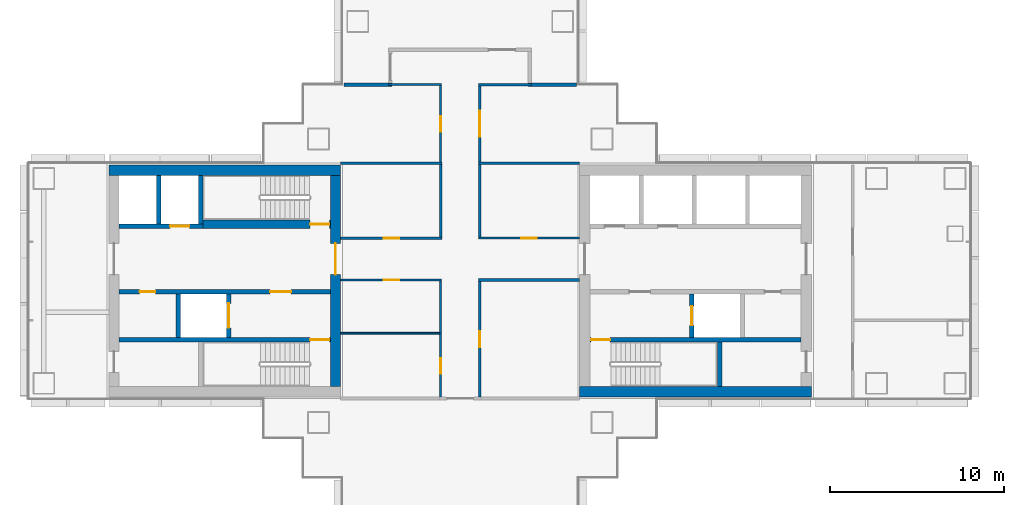
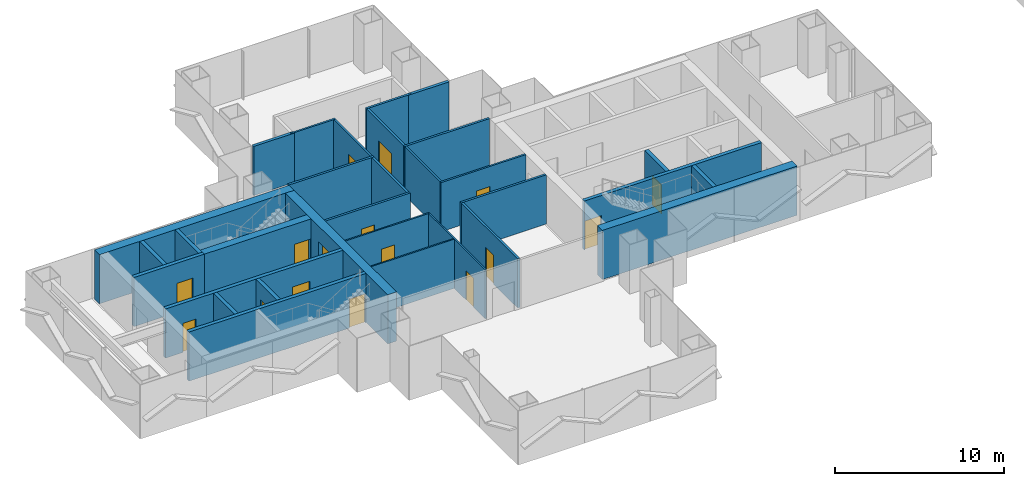
# One storey, part 11 of 19: 31 walls, 16 doors, 16 openings.
"""IFC4 building model written with IfcOpenShell, lengths in metres."""

import ifcopenshell
import ifcopenshell.guid

model = None  # the IFC model being written
_history = None  # IfcOwnerHistory: only IFC2X3 demands one
_inside = {}  # id of a spatial element -> (the spatial element, [elements in it])
_under = {}  # id of a project, library or spatial element -> (it, [spatial elements below it])
_declared = {}  # id of a project -> (the project, [libraries it declares])
_typed = {}  # id of a type object -> (the type object, [elements of that type])
_made_of = {}  # id of a material, layer set ... -> (it, [elements and type objects made of it])


def new_model(schema):
    """Start an empty IFC model of exactly this schema.

    Asked for "IFC4X3", IfcOpenShell would pick the latest addendum, in which some entities
    have other attributes; the version numbers below select the first issue.
    IFC2X3 requires an IfcOwnerHistory on every rooted entity: one is made here for all.
    """
    global model, _history
    if schema == "IFC4X3":
        model = ifcopenshell.file(schema_version=(4, 3, 0, 0))
    else:
        model = ifcopenshell.file(schema=schema)
    _inside.clear()
    _under.clear()
    _declared.clear()
    _typed.clear()
    _made_of.clear()
    _history = None
    if model.schema == "IFC2X3":
        org = make("IfcOrganization", Name="unknown")
        user = make(
            "IfcPersonAndOrganization",
            ThePerson=make("IfcPerson", FamilyName="unknown"),
            TheOrganization=org,
        )
        app = make(
            "IfcApplication",
            ApplicationDeveloper=org,
            Version="unknown",
            ApplicationFullName="unknown",
            ApplicationIdentifier="unknown",
        )
        _history = make(
            "IfcOwnerHistory",
            OwningUser=user,
            OwningApplication=app,
            ChangeAction="ADDED",
            CreationDate=0,
        )
    return model


def make(cls, **values):
    """One entity of the class cls with the attributes given. An attribute that is None is left unset."""
    return model.create_entity(
        cls, **{name: value for name, value in values.items() if value is not None}
    )


def rooted(cls, **values):
    """An entity with a GlobalId (a new one), such as an element, a storey or a relation."""
    return make(cls, GlobalId=ifcopenshell.guid.new(), OwnerHistory=_history, **values)


def si_unit(unit_type, name, prefix=None):
    """IfcSIUnit, for example si_unit("LENGTHUNIT", "METRE", prefix="MILLI")."""
    return make("IfcSIUnit", UnitType=unit_type, Prefix=prefix, Name=name)


def assignment(units):
    """IfcUnitAssignment: the units of a project."""
    return None if units is None else make("IfcUnitAssignment", Units=units)


def point(xyz):
    """IfcCartesianPoint."""
    return None if xyz is None else make("IfcCartesianPoint", Coordinates=xyz)


def direction(xyz):
    """IfcDirection."""
    return None if xyz is None else make("IfcDirection", DirectionRatios=xyz)


def frame(location, z_axis=None, x_axis=None):
    """IfcAxis2Placement3D, a coordinate frame: its origin and axes. An axis left out is left unset."""
    return make(
        "IfcAxis2Placement3D",
        Location=point(location),
        Axis=direction(z_axis),
        RefDirection=direction(x_axis),
    )


def frame_2d(location, x_axis=None):
    """IfcAxis2Placement2D, a coordinate frame in the plane: its origin and x axis."""
    return make(
        "IfcAxis2Placement2D", Location=point(location), RefDirection=direction(x_axis)
    )


def origin():
    """The frame at (0, 0, 0) with its axes left unset."""
    return frame((0.0, 0.0, 0.0))


def place(relative_to, where):
    """IfcLocalPlacement: puts the frame where relative to a parent placement (None: the world)."""
    return make(
        "IfcLocalPlacement", PlacementRelTo=relative_to, RelativePlacement=where
    )


def context(
    kind, dimensions, precision=None, world=None, true_north=None, identifier=None
):
    """IfcGeometricRepresentationContext, for example the 3D "Model" context."""
    return make(
        "IfcGeometricRepresentationContext",
        ContextIdentifier=identifier,
        ContextType=kind,
        CoordinateSpaceDimension=dimensions,
        Precision=precision,
        WorldCoordinateSystem=world,
        TrueNorth=true_north,
    )


def subcontext(parent, identifier, kind, view, scale=None):
    """IfcGeometricRepresentationSubContext, for example "Body" below "Model"."""
    return make(
        "IfcGeometricRepresentationSubContext",
        ContextIdentifier=identifier,
        ContextType=kind,
        ParentContext=parent,
        TargetScale=scale,
        TargetView=view,
    )


def project(units=None, contexts=None):
    """IfcProject with its units and contexts."""
    return rooted(
        "IfcProject",
        Name="project",
        RepresentationContexts=contexts,
        UnitsInContext=assignment(units),
    )


def spatial(cls, under=None, at=None, **own):
    """A site, building, storey or space (cls), placed at a placement, below another one or the project."""
    s = rooted(cls, ObjectPlacement=at, **own)
    if under is not None:
        _under.setdefault(under.id(), (under, []))[1].append(s)
    return s


def profile(cls, at=None, kind="AREA", **sizes):
    """A parametric profile (cls). Its sizes go by their IFC names, for example OverallWidth=200.0."""
    return make(cls, ProfileType=kind, Position=at, **sizes)


def rectangle(**sizes):
    """IfcRectangleProfileDef."""
    return profile("IfcRectangleProfileDef", **sizes)


def extrude(swept, where, along, depth):
    """IfcExtrudedAreaSolid: the profile swept, set in the frame where, extruded along a direction by depth."""
    return make(
        "IfcExtrudedAreaSolid",
        SweptArea=swept,
        Position=where,
        ExtrudedDirection=direction(along),
        Depth=depth,
    )


def shape(context_of_items, identifier, shape_type, items):
    """IfcShapeRepresentation: the items that make up one representation, for example the "Body"."""
    return make(
        "IfcShapeRepresentation",
        ContextOfItems=context_of_items,
        RepresentationIdentifier=identifier,
        RepresentationType=shape_type,
        Items=items,
    )


def material(Name=None, Category=None):
    """IfcMaterial."""
    return make("IfcMaterial", Name=Name, Category=Category)


def layer(
    of_material, thickness, ventilated=None, Name=None, Category=None, Priority=None
):
    """IfcMaterialLayer: one layer of a wall or slab, of a material (None: an air gap)."""
    return make(
        "IfcMaterialLayer",
        Material=of_material,
        LayerThickness=thickness,
        IsVentilated=ventilated,
        Name=Name,
        Category=Category,
        Priority=Priority,
    )


def layer_set(layers, Name=None):
    """IfcMaterialLayerSet."""
    return make("IfcMaterialLayerSet", MaterialLayers=layers, LayerSetName=Name)


def made_of(thing, what):
    """Note that an element or type object is made of a material, layer set ...; save() writes the relation."""
    if what is not None:
        _made_of.setdefault(what.id(), (what, []))[1].append(thing)
    return thing


def type_object(cls, material=None, **own):
    """A type object (cls), such as IfcWallType, which elements share."""
    return made_of(rooted(cls, **own), material)


def element(
    cls,
    number,
    at=None,
    inside=None,
    cuts=None,
    type_object=None,
    material=None,
    context=None,
    identifier="Body",
    shape_type=None,
    held_by="IfcProductDefinitionShape",
    body=None,
    shapes=None,
    **own,
):
    """One element of the class cls, such as IfcWall. Its Tag is "e" and its number.

    at: its placement. inside: the storey or other place that contains it. cuts: it is an
    opening in that element (IfcRelVoidsElement). A single representation is given by context,
    identifier, shape_type and body (its items); several are given by shapes. held_by: the class
    of the entity that holds the representations. save() writes the other relations.
    """
    e = rooted(cls, Tag="e%d" % number, ObjectPlacement=at, **own)
    if body is not None:
        shapes = [shape(context, identifier, shape_type, body)]
    if shapes is not None:
        e.Representation = make(held_by, Representations=shapes)
    if inside is not None:
        _inside.setdefault(inside.id(), (inside, []))[1].append(e)
    if cuts is not None:
        rooted(
            "IfcRelVoidsElement", RelatingBuildingElement=cuts, RelatedOpeningElement=e
        )
    if type_object is not None:
        _typed.setdefault(type_object.id(), (type_object, []))[1].append(e)
    return made_of(e, material)


def fill(opening, filler):
    """IfcRelFillsElement: the door or window that sits in an opening."""
    return rooted(
        "IfcRelFillsElement",
        RelatingOpeningElement=opening,
        RelatedBuildingElement=filler,
    )


def aggregate(whole, parts):
    """IfcRelAggregates: a whole, such as a stair, and the parts it consists of."""
    return rooted("IfcRelAggregates", RelatingObject=whole, RelatedObjects=parts)


def save(model, path):
    """Write the relations noted so far, then the file.

    IfcRelAggregates (storeys below a building ...), IfcRelContainedInSpatialStructure (elements
    in a storey), IfcRelDefinesByType, IfcRelAssociatesMaterial and IfcRelDeclares: one each for
    every whole, place, type object, material and project.
    """
    for whole, parts in _under.values():
        aggregate(whole, parts)
    for where, things in _inside.values():
        rooted(
            "IfcRelContainedInSpatialStructure",
            RelatedElements=things,
            RelatingStructure=where,
        )
    for kind, things in _typed.values():
        rooted("IfcRelDefinesByType", RelatedObjects=things, RelatingType=kind)
    for what, things in _made_of.values():
        rooted("IfcRelAssociatesMaterial", RelatedObjects=things, RelatingMaterial=what)
    for by, libraries in _declared.values():
        rooted("IfcRelDeclares", RelatingContext=by, RelatedDefinitions=libraries)
    model.write(path)


model = new_model("IFC4")

# Units and contexts
model_context = context("Model", 3, precision=1e-05, world=origin(), true_north=direction((0.0, 1.0)))
body_context = subcontext(model_context, "Body", "Model", "MODEL_VIEW")
ifc_project = project(units=[si_unit("LENGTHUNIT", "METRE"), si_unit("AREAUNIT", "SQUARE_METRE"), si_unit("VOLUMEUNIT", "CUBIC_METRE"), si_unit("PLANEANGLEUNIT", "RADIAN"), si_unit("MASSUNIT", "GRAM", prefix="KILO")], contexts=[model_context])

# Site, building, storey
site_placement = place(None, origin())
site = spatial("IfcSite", under=ifc_project, at=site_placement, CompositionType="ELEMENT")
building_placement = place(site_placement, origin())
building = spatial("IfcBuilding", under=site, at=building_placement, Name="Shamsa Quay Exchange Towers", CompositionType="ELEMENT")
storey_placement = place(building_placement, frame((0.0, 0.0, 93.60009765625)))
storey = spatial("IfcBuildingStorey", under=building, at=storey_placement, Name="L21", CompositionType="ELEMENT", Elevation=93.60009765625)

# Walls
ifc_material_1 = material(Name="Double-leaf gypsum board partition with acoustic insulation")
ifc_layer_1 = layer(ifc_material_1, 0.199951171875)
ifc_layer_set_1 = layer_set([ifc_layer_1], Name="Acoustic partition 200 mm EI 60")
wall_type_1 = type_object("IfcWallType", Name="Acoustic partition 200 mm EI 60", PredefinedType="PARTITIONING", material=ifc_layer_set_1)
for number, where, z_axis, x_axis, name in (
    (1, (-27.094970703125, 11.25, 0.0), (0.0, 0.0, 1.0), (-1.0, 0.0, 0.0), "Partition T1-R09-W23"),
    (2, (-37.64990234375, 11.25, 0.0), (0.0, 0.0, 1.0), (-1.0, 0.0, 0.0), "Partition T1-R09-W24"),
):
    element("IfcWall", number, at=place(storey_placement, frame(where, z_axis=z_axis, x_axis=x_axis)), inside=storey, type_object=wall_type_1, Name=name, PredefinedType="PARTITIONING", context=body_context, shape_type="SweptSolid", body=[
        extrude(rectangle(XDim=2.755126953125, YDim=0.199951171875, at=frame_2d((1.37744140625, 0.0))), origin(), (0.0, 0.0, 1.0), 3.5498046875),
    ])
ifc_material_2 = material(Name="Concrete C70/85", Category="concrete")
ifc_layer_2 = layer(ifc_material_2, 0.60009765625)
ifc_layer_set_2 = layer_set([ifc_layer_2], Name="CORE WALL 600 C70/85")
wall_type_2 = type_object("IfcWallType", Name="CORE WALL 600 C70/85", PredefinedType="SHEAR", material=ifc_layer_set_2)
wall_1_placement = place(storey_placement, frame((-26.89990234375, -6.35009765625, 0.0)))
element("IfcWall", 3, at=wall_1_placement, inside=storey, type_object=wall_type_2, Name="Core wall T1A-R09-PS", PredefinedType="SHEAR", context=body_context, shape_type="SweptSolid", body=[
    extrude(rectangle(XDim=13.2998046875, YDim=0.60009765625, at=frame_2d((6.64990234375, 0.0))), origin(), (0.0, 0.0, 1.0), 3.5498046875),
])
wall_2_placement = place(storey_placement, frame((-40.60009765625, 6.35009765625, 0.0), z_axis=(0.0, 0.0, 1.0), x_axis=(-1.0, 0.0, 0.0)))
element("IfcWall", 4, at=wall_2_placement, inside=storey, type_object=wall_type_2, Name="Core wall T1B-R09-PN", PredefinedType="SHEAR", context=body_context, shape_type="SweptSolid", body=[
    extrude(rectangle(XDim=13.2998046875, YDim=0.60009765625, at=frame_2d((6.64990234375, 0.0))), origin(), (0.0, 0.0, 1.0), 3.5498046875),
])

# Wall, opening, door
wall_3_placement = place(storey_placement, frame((-40.89990234375, -6.050048828125, 0.0), z_axis=(0.0, 0.0, 1.0), x_axis=(0.0, 1.0, 0.0)))
wall_3 = element("IfcWall", 5, at=wall_3_placement, inside=storey, type_object=wall_type_2, Name="Core wall T1B-R09-PF", PredefinedType="SHEAR", context=body_context, shape_type="SweptSolid", body=[
    extrude(rectangle(XDim=12.10009765625, YDim=0.60009765625, at=frame_2d((6.050048828125, 0.0))), origin(), (0.0, 0.0, 1.0), 3.5498046875),
])
opening_1_placement = place(wall_3_placement, frame((6.39990234375, 0.0, 0.0)))
opening_1 = element("IfcOpeningElement", 6, at=opening_1_placement, cuts=wall_3, Name="Opening T1B-R09-LBD01", PredefinedType="OPENING", context=body_context, shape_type="SweptSolid", body=[
    extrude(rectangle(XDim=1.800048828125, YDim=2.39990234375, at=frame_2d((0.89990234375, 1.199951171875))), frame((0.0, 0.31005859375, 0.0), z_axis=(0.0, -1.0, 0.0), x_axis=(1.0, 0.0, 0.0)), (0.0, 0.0, 1.0), 0.6201171875),
])
ifc_material_3 = material(Name="Steel, fire rated", Category="steel")
door_type_1 = type_object("IfcDoorType", Name="LIFT LOBBY DOOR PAIR 1800", OperationType="DOUBLE_DOOR_SINGLE_SWING", PredefinedType="DOOR", material=ifc_material_3)
door_1_placement = place(opening_1_placement, origin())
door_1 = element("IfcDoor", 7, at=door_1_placement, inside=storey, type_object=door_type_1, Name="T1B-R09-LBD01", OperationType="DOUBLE_DOOR_SINGLE_SWING", OverallHeight=2.39990234375, OverallWidth=1.800048828125, PredefinedType="DOOR", context=body_context, shape_type="SweptSolid", body=[
    extrude(rectangle(XDim=1.800048828125, YDim=2.39990234375, at=frame_2d((0.89990234375, 1.199951171875))), frame((0.0, 0.02490234375, 0.0), z_axis=(0.0, -1.0, 0.0), x_axis=(1.0, 0.0, 0.0)), (0.0, 0.0, 1.0), 0.050048828125),
])
fill(opening_1, door_1)

# Wall
ifc_material_4 = material(Name="Laminated fire-resisting glass in a metal frame", Category="glass")
ifc_layer_3 = layer(ifc_material_4, 0.125)
ifc_layer_set_3 = layer_set([ifc_layer_3], Name="Glazed partition 125 mm EI 60")
wall_type_3 = type_object("IfcWallType", Name="Glazed partition 125 mm EI 60", PredefinedType="PARTITIONING", material=ifc_layer_set_3)
wall_4_placement = place(storey_placement, frame((-32.625, 6.675048828125, 0.0), z_axis=(0.0, 0.0, 1.0), x_axis=(0.0, -1.0, 0.0)))
element("IfcWall", 8, at=wall_4_placement, inside=storey, type_object=wall_type_3, Name="Partition T1-R09-W01", PredefinedType="PARTITIONING", context=body_context, shape_type="SweptSolid", body=[
    extrude(rectangle(XDim=4.162353515625, YDim=0.125, at=frame_2d((2.0810546875, 0.0))), origin(), (0.0, 0.0, 1.0), 3.5498046875),
])

# Wall, opening, door
wall_5_placement = place(storey_placement, frame((-32.6875, 2.4501953125, 0.0)))
wall_5 = element("IfcWall", 9, at=wall_5_placement, inside=storey, type_object=wall_type_3, Name="Partition T1-R09-W02", PredefinedType="PARTITIONING", context=body_context, shape_type="SweptSolid", body=[
    extrude(rectangle(XDim=5.78759765625, YDim=0.125, at=frame_2d((2.893798828125, 0.0))), origin(), (0.0, 0.0, 1.0), 3.5498046875),
])
opening_2_placement = place(wall_5_placement, frame((2.425048828125, 0.0, 0.0)))
opening_2 = element("IfcOpeningElement", 10, at=opening_2_placement, cuts=wall_5, Name="Opening T1-R09-D08", PredefinedType="OPENING", context=body_context, shape_type="SweptSolid", body=[
    extrude(rectangle(XDim=0.89990234375, YDim=2.10009765625, at=frame_2d((0.449951171875, 1.050048828125))), frame((0.0, 0.072509765625, 0.0), z_axis=(0.0, -1.0, 0.0), x_axis=(1.0, 0.0, 0.0)), (0.0, 0.0, 1.0), 0.14501953125),
])
ifc_material_5 = material(Name="Timber door leaf in a metal frame", Category="wood")
door_type_2 = type_object("IfcDoorType", Name="Door 900x2100 FD30S", OperationType="NOTDEFINED", PredefinedType="DOOR", material=ifc_material_5)
door_2_placement = place(opening_2_placement, origin())
door_2 = element("IfcDoor", 11, at=door_2_placement, inside=storey, type_object=door_type_2, Name="Door T1-R09-D08", OperationType="SINGLE_SWING_RIGHT", OverallHeight=2.10009765625, OverallWidth=0.89990234375, PredefinedType="DOOR", context=body_context, shape_type="SweptSolid", body=[
    extrude(rectangle(XDim=0.89990234375, YDim=2.10009765625, at=frame_2d((0.449951171875, 1.050048828125))), frame((0.0, 0.02490234375, 0.0), z_axis=(0.0, -1.0, 0.0), x_axis=(1.0, 0.0, 0.0)), (0.0, 0.0, 1.0), 0.050048828125),
])
fill(opening_2, door_2)

wall_6_placement = place(storey_placement, frame((-34.875, 6.824951171875, 0.0), z_axis=(0.0, 0.0, 1.0), x_axis=(0.0, 1.0, 0.0)))
wall_6 = element("IfcWall", 12, at=wall_6_placement, inside=storey, type_object=wall_type_3, Name="Partition T1-R09-W11", PredefinedType="PARTITIONING", context=body_context, shape_type="SweptSolid", body=[
    extrude(rectangle(XDim=4.362548828125, YDim=0.125, at=frame_2d((2.18115234375, 0.0))), origin(), (0.0, 0.0, 1.0), 3.5498046875),
])
opening_3_placement = place(wall_6_placement, frame((1.72509765625, 0.0, 0.0)))
opening_3 = element("IfcOpeningElement", 13, at=opening_3_placement, cuts=wall_6, Name="Opening T1-R09-D05", PredefinedType="OPENING", context=body_context, shape_type="SweptSolid", body=[
    extrude(rectangle(XDim=0.89990234375, YDim=2.10009765625, at=frame_2d((0.449951171875, 1.050048828125))), frame((0.0, 0.072509765625, 0.0), z_axis=(0.0, -1.0, 0.0), x_axis=(1.0, 0.0, 0.0)), (0.0, 0.0, 1.0), 0.14501953125),
])
door_3_placement = place(opening_3_placement, origin())
door_3 = element("IfcDoor", 14, at=door_3_placement, inside=storey, type_object=door_type_2, Name="Door T1-R09-D05", OperationType="SINGLE_SWING_LEFT", OverallHeight=2.10009765625, OverallWidth=0.89990234375, PredefinedType="DOOR", context=body_context, shape_type="SweptSolid", body=[
    extrude(rectangle(XDim=0.89990234375, YDim=2.10009765625, at=frame_2d((0.449951171875, 1.050048828125))), frame((0.0, 0.02490234375, 0.0), z_axis=(0.0, -1.0, 0.0), x_axis=(1.0, 0.0, 0.0)), (0.0, 0.0, 1.0), 0.050048828125),
])
fill(opening_3, door_3)

# Wall
wall_7_placement = place(storey_placement, frame((-34.8125, 11.25, 0.0), z_axis=(0.0, 0.0, 1.0), x_axis=(-1.0, 0.0, 0.0)))
element("IfcWall", 15, at=wall_7_placement, inside=storey, type_object=wall_type_3, Name="Partition T1-R09-W12", PredefinedType="PARTITIONING", context=body_context, shape_type="SweptSolid", body=[
    extrude(rectangle(XDim=3.03759765625, YDim=0.125, at=frame_2d((1.518798828125, 0.0))), origin(), (0.0, 0.0, 1.0), 3.5498046875),
])

# Wall, opening, door
ifc_material_6 = material(Name="Gypsum board partition on metal studs")
ifc_layer_4 = layer(ifc_material_6, 0.10009765625)
ifc_layer_set_4 = layer_set([ifc_layer_4], Name="Partition 100 mm NOT RATED")
wall_type_4 = type_object("IfcWallType", Name="Partition 100 mm NOT RATED", PredefinedType="PARTITIONING", material=ifc_layer_set_4)
wall_8_placement = place(storey_placement, frame((-34.875, -6.675048828125, 0.0), z_axis=(0.0, 0.0, 1.0), x_axis=(0.0, 1.0, 0.0)))
wall_8 = element("IfcWall", 16, at=wall_8_placement, inside=storey, type_object=wall_type_4, Name="Partition T1-R09-W08", PredefinedType="PARTITIONING", context=body_context, shape_type="SweptSolid", body=[
    extrude(rectangle(XDim=6.6748046875, YDim=0.10009765625, at=frame_2d((3.33740234375, 0.0))), origin(), (0.0, 0.0, 1.0), 3.5498046875),
])
opening_4_placement = place(wall_8_placement, frame((1.35009765625, 0.0, 0.0)))
opening_4 = element("IfcOpeningElement", 17, at=opening_4_placement, cuts=wall_8, Name="Opening T1-R09-D03", PredefinedType="OPENING", context=body_context, shape_type="SweptSolid", body=[
    extrude(rectangle(XDim=0.89990234375, YDim=2.10009765625, at=frame_2d((0.449951171875, 1.050048828125))), frame((0.0, 0.06005859375, 0.0), z_axis=(0.0, -1.0, 0.0), x_axis=(1.0, 0.0, 0.0)), (0.0, 0.0, 1.0), 0.1201171875),
])
door_type_3 = type_object("IfcDoorType", Name="Door 900x2100 NOT RATED", OperationType="NOTDEFINED", PredefinedType="DOOR", material=ifc_material_5)
door_4_placement = place(opening_4_placement, origin())
door_4 = element("IfcDoor", 18, at=door_4_placement, inside=storey, type_object=door_type_3, Name="Door T1-R09-D03", OperationType="SINGLE_SWING_RIGHT", OverallHeight=2.10009765625, OverallWidth=0.89990234375, PredefinedType="DOOR", context=body_context, shape_type="SweptSolid", body=[
    extrude(rectangle(XDim=0.89990234375, YDim=2.10009765625, at=frame_2d((0.449951171875, 1.050048828125))), frame((0.0, 0.02490234375, 0.0), z_axis=(0.0, -1.0, 0.0), x_axis=(1.0, 0.0, 0.0)), (0.0, 0.0, 1.0), 0.050048828125),
])
fill(opening_4, door_4)

wall_9_placement = place(storey_placement, frame((-34.824951171875, 0.0498046875, 0.0), z_axis=(0.0, 0.0, 1.0), x_axis=(-1.0, 0.0, 0.0)))
wall_9 = element("IfcWall", 19, at=wall_9_placement, inside=storey, type_object=wall_type_4, Name="Partition T1-R09-W09", PredefinedType="PARTITIONING", context=body_context, shape_type="SweptSolid", body=[
    extrude(rectangle(XDim=5.775146484375, YDim=0.10009765625, at=frame_2d((2.8876953125, 0.0))), origin(), (0.0, 0.0, 1.0), 3.5498046875),
])
opening_5_placement = place(wall_9_placement, frame((2.41259765625, 0.0, 0.0)))
opening_5 = element("IfcOpeningElement", 20, at=opening_5_placement, cuts=wall_9, Name="Opening T1-R09-D04", PredefinedType="OPENING", context=body_context, shape_type="SweptSolid", body=[
    extrude(rectangle(XDim=0.89990234375, YDim=2.10009765625, at=frame_2d((0.449951171875, 1.050048828125))), frame((0.0, 0.06005859375, 0.0), z_axis=(0.0, -1.0, 0.0), x_axis=(1.0, 0.0, 0.0)), (0.0, 0.0, 1.0), 0.1201171875),
])
door_5_placement = place(opening_5_placement, origin())
door_5 = element("IfcDoor", 21, at=door_5_placement, inside=storey, type_object=door_type_3, Name="Door T1-R09-D04", OperationType="SINGLE_SWING_LEFT", OverallHeight=2.10009765625, OverallWidth=0.89990234375, PredefinedType="DOOR", context=body_context, shape_type="SweptSolid", body=[
    extrude(rectangle(XDim=0.89990234375, YDim=2.10009765625, at=frame_2d((0.449951171875, 1.050048828125))), frame((0.0, 0.02490234375, 0.0), z_axis=(0.0, -1.0, 0.0), x_axis=(1.0, 0.0, 0.0)), (0.0, 0.0, 1.0), 0.050048828125),
])
fill(opening_5, door_5)

# Walls
wall_10_placement = place(storey_placement, frame((-34.925048828125, -3.0, 0.0), z_axis=(0.0, 0.0, 1.0), x_axis=(-1.0, 0.0, 0.0)))
element("IfcWall", 22, at=wall_10_placement, inside=storey, type_object=wall_type_4, Name="Partition T1-R09-W22", PredefinedType="PARTITIONING", context=body_context, shape_type="SweptSolid", body=[
    extrude(rectangle(XDim=5.675048828125, YDim=0.10009765625, at=frame_2d((2.83740234375, 0.0))), origin(), (0.0, 0.0, 1.0), 3.5498046875),
])
ifc_layer_5 = layer(ifc_material_6, 0.14990234375)
ifc_layer_set_5 = layer_set([ifc_layer_5], Name="Partition 150 mm EI 60")
wall_type_5 = type_object("IfcWallType", Name="Partition 150 mm EI 60", PredefinedType="PARTITIONING", material=ifc_layer_set_5)
wall_11_placement = place(storey_placement, frame((-26.89990234375, 0.0498046875, 0.0), z_axis=(0.0, 0.0, 1.0), x_axis=(-1.0, 0.0, 0.0)))
element("IfcWall", 23, at=wall_11_placement, inside=storey, type_object=wall_type_5, Name="Partition T1-R09-W03", PredefinedType="PARTITIONING", context=body_context, shape_type="SweptSolid", body=[
    extrude(rectangle(XDim=5.800048828125, YDim=0.14990234375, at=frame_2d((2.89990234375, 0.0))), origin(), (0.0, 0.0, 1.0), 3.5498046875),
])

# Wall, opening, door
wall_12_placement = place(storey_placement, frame((-32.625, 11.175048828125, 0.0), z_axis=(0.0, 0.0, 1.0), x_axis=(0.0, -1.0, 0.0)))
wall_12 = element("IfcWall", 24, at=wall_12_placement, inside=storey, type_object=wall_type_5, Name="Partition T1-R09-W04", PredefinedType="PARTITIONING", context=body_context, shape_type="SweptSolid", body=[
    extrude(rectangle(XDim=4.35009765625, YDim=0.14990234375, at=frame_2d((2.175048828125, 0.0))), origin(), (0.0, 0.0, 1.0), 3.5498046875),
])
opening_6_placement = place(wall_12_placement, frame((1.425048828125, 0.0, 0.0)))
opening_6 = element("IfcOpeningElement", 25, at=opening_6_placement, cuts=wall_12, Name="Opening T1-R09-D09", PredefinedType="OPENING", context=body_context, shape_type="SweptSolid", body=[
    extrude(rectangle(XDim=1.5, YDim=2.10009765625, at=frame_2d((0.75, 1.050048828125))), frame((0.0, 0.0849609375, 0.0), z_axis=(0.0, -1.0, 0.0), x_axis=(1.0, 0.0, 0.0)), (0.0, 0.0, 1.0), 0.169921875),
])
door_type_4 = type_object("IfcDoorType", Name="Door 1500x2100 FD30S pair", OperationType="NOTDEFINED", PredefinedType="DOOR", material=ifc_material_5)
door_6_placement = place(opening_6_placement, origin())
door_6 = element("IfcDoor", 26, at=door_6_placement, inside=storey, type_object=door_type_4, Name="Door T1-R09-D09", OperationType="DOUBLE_DOOR_SINGLE_SWING", OverallHeight=2.10009765625, OverallWidth=1.5, PredefinedType="DOOR", context=body_context, shape_type="SweptSolid", body=[
    extrude(rectangle(XDim=1.5, YDim=2.10009765625, at=frame_2d((0.75, 1.050048828125))), frame((0.0, 0.02490234375, 0.0), z_axis=(0.0, -1.0, 0.0), x_axis=(1.0, 0.0, 0.0)), (0.0, 0.0, 1.0), 0.050048828125),
])
fill(opening_6, door_6)

wall_13_placement = place(storey_placement, frame((-32.625, -0.025146484375, 0.0), z_axis=(0.0, 0.0, 1.0), x_axis=(0.0, -1.0, 0.0)))
wall_13 = element("IfcWall", 27, at=wall_13_placement, inside=storey, type_object=wall_type_5, Name="Partition T1-R09-W05", PredefinedType="PARTITIONING", context=body_context, shape_type="SweptSolid", body=[
    extrude(rectangle(XDim=6.64990234375, YDim=0.14990234375, at=frame_2d((3.324951171875, 0.0))), origin(), (0.0, 0.0, 1.0), 3.5498046875),
])
opening_7_placement = place(wall_13_placement, frame((2.875, 0.0, 0.0)))
opening_7 = element("IfcOpeningElement", 28, at=opening_7_placement, cuts=wall_13, Name="Opening T1-R09-D07", PredefinedType="OPENING", context=body_context, shape_type="SweptSolid", body=[
    extrude(rectangle(XDim=0.89990234375, YDim=2.10009765625, at=frame_2d((0.449951171875, 1.050048828125))), frame((0.0, 0.0849609375, 0.0), z_axis=(0.0, -1.0, 0.0), x_axis=(1.0, 0.0, 0.0)), (0.0, 0.0, 1.0), 0.169921875),
])
door_7_placement = place(opening_7_placement, origin())
door_7 = element("IfcDoor", 29, at=door_7_placement, inside=storey, type_object=door_type_2, Name="Door T1-R09-D07", OperationType="SINGLE_SWING_LEFT", OverallHeight=2.10009765625, OverallWidth=0.89990234375, PredefinedType="DOOR", context=body_context, shape_type="SweptSolid", body=[
    extrude(rectangle(XDim=0.89990234375, YDim=2.10009765625, at=frame_2d((0.449951171875, 1.050048828125))), frame((0.0, 0.02490234375, 0.0), z_axis=(0.0, -1.0, 0.0), x_axis=(1.0, 0.0, 0.0)), (0.0, 0.0, 1.0), 0.050048828125),
])
fill(opening_7, door_7)

wall_14_placement = place(storey_placement, frame((-40.60009765625, 2.4501953125, 0.0)))
wall_14 = element("IfcWall", 30, at=wall_14_placement, inside=storey, type_object=wall_type_5, Name="Partition T1-R09-W06", PredefinedType="PARTITIONING", context=body_context, shape_type="SweptSolid", body=[
    extrude(rectangle(XDim=5.800048828125, YDim=0.14990234375, at=frame_2d((2.89990234375, 0.0))), origin(), (0.0, 0.0, 1.0), 3.5498046875),
])
opening_8_placement = place(wall_14_placement, frame((2.46240234375, 0.0, 0.0)))
opening_8 = element("IfcOpeningElement", 31, at=opening_8_placement, cuts=wall_14, Name="Opening T1-R09-D01", PredefinedType="OPENING", context=body_context, shape_type="SweptSolid", body=[
    extrude(rectangle(XDim=0.89990234375, YDim=2.10009765625, at=frame_2d((0.449951171875, 1.050048828125))), frame((0.0, 0.0849609375, 0.0), z_axis=(0.0, -1.0, 0.0), x_axis=(1.0, 0.0, 0.0)), (0.0, 0.0, 1.0), 0.169921875),
])
door_8_placement = place(opening_8_placement, origin())
door_8 = element("IfcDoor", 32, at=door_8_placement, inside=storey, type_object=door_type_2, Name="Door T1-R09-D01", OperationType="SINGLE_SWING_RIGHT", OverallHeight=2.10009765625, OverallWidth=0.89990234375, PredefinedType="DOOR", context=body_context, shape_type="SweptSolid", body=[
    extrude(rectangle(XDim=0.89990234375, YDim=2.10009765625, at=frame_2d((0.449951171875, 1.050048828125))), frame((0.0, 0.02490234375, 0.0), z_axis=(0.0, -1.0, 0.0), x_axis=(1.0, 0.0, 0.0)), (0.0, 0.0, 1.0), 0.050048828125),
])
fill(opening_8, door_8)

# Walls
wall_15_placement = place(storey_placement, frame((-34.875, 2.525146484375, 0.0), z_axis=(0.0, 0.0, 1.0), x_axis=(0.0, 1.0, 0.0)))
element("IfcWall", 33, at=wall_15_placement, inside=storey, type_object=wall_type_5, Name="Partition T1-R09-W07", PredefinedType="PARTITIONING", context=body_context, shape_type="SweptSolid", body=[
    extrude(rectangle(XDim=4.14990234375, YDim=0.14990234375, at=frame_2d((2.074951171875, 0.0))), origin(), (0.0, 0.0, 1.0), 3.5498046875),
])
wall_16_placement = place(storey_placement, frame((-29.64990234375, 11.25, 0.0), z_axis=(0.0, 0.0, 1.0), x_axis=(-1.0, 0.0, 0.0)))
element("IfcWall", 34, at=wall_16_placement, inside=storey, type_object=wall_type_5, Name="Partition T1-R09-W10", PredefinedType="PARTITIONING", context=body_context, shape_type="SweptSolid", body=[
    extrude(rectangle(XDim=3.050048828125, YDim=0.14990234375, at=frame_2d((1.52490234375, 0.0))), origin(), (0.0, 0.0, 1.0), 3.5498046875),
])
for number, where, z_axis, x_axis, name in (
    (35, (-26.89990234375, 6.75, 0.0), (0.0, 0.0, 1.0), (-1.0, 0.0, 0.0), "Partition T1-R09-W18"),
    (36, (-34.800048828125, 6.75, 0.0), (0.0, 0.0, 1.0), (-1.0, 0.0, 0.0), "Partition T1-R09-W19"),
):
    element("IfcWall", number, at=place(storey_placement, frame(where, z_axis=z_axis, x_axis=x_axis)), inside=storey, type_object=wall_type_5, Name=name, PredefinedType="PARTITIONING", context=body_context, shape_type="SweptSolid", body=[
        extrude(rectangle(XDim=5.800048828125, YDim=0.14990234375, at=frame_2d((2.89990234375, 0.0))), origin(), (0.0, 0.0, 1.0), 3.5498046875),
    ])

# Wall, opening, door
ifc_material_7 = material(Name="Concrete C50/60", Category="concrete")
ifc_layer_6 = layer(ifc_material_7, 0.25)
ifc_layer_set_6 = layer_set([ifc_layer_6], Name="SHAFT WALL 250 C50/60")
wall_type_6 = type_object("IfcWallType", Name="SHAFT WALL 250 C50/60", PredefinedType="SHEAR", material=ifc_layer_set_6)
wall_17_placement = place(storey_placement, frame((-14.199951171875, -3.375, 0.0), z_axis=(0.0, 0.0, 1.0), x_axis=(-1.0, 0.0, 0.0)))
wall_17 = element("IfcWall", 37, at=wall_17_placement, inside=storey, type_object=wall_type_6, Name="Shaft wall T1A-R09-STL", PredefinedType="SHEAR", context=body_context, shape_type="SweptSolid", body=[
    extrude(rectangle(XDim=12.10009765625, YDim=0.25, at=frame_2d((6.050048828125, 0.0))), origin(), (0.0, 0.0, 1.0), 3.5498046875),
])
opening_9_placement = place(wall_17_placement, frame((10.949951171875, 0.0, 0.0)))
opening_9 = element("IfcOpeningElement", 38, at=opening_9_placement, cuts=wall_17, Name="Opening T1A-R09-SD04", PredefinedType="OPENING", context=body_context, shape_type="SweptSolid", body=[
    extrude(rectangle(XDim=1.10009765625, YDim=2.10009765625, at=frame_2d((0.550048828125, 1.050048828125))), frame((0.0, 0.135009765625, 0.0), z_axis=(0.0, -1.0, 0.0), x_axis=(1.0, 0.0, 0.0)), (0.0, 0.0, 1.0), 0.27001953125),
])
door_type_5 = type_object("IfcDoorType", Name="STAIR DOOR 1100", OperationType="SINGLE_SWING_LEFT", PredefinedType="DOOR", material=ifc_material_3)
door_9_placement = place(opening_9_placement, origin())
door_9 = element("IfcDoor", 39, at=door_9_placement, inside=storey, type_object=door_type_5, Name="T1A-R09-SD04", OperationType="SINGLE_SWING_RIGHT", OverallHeight=2.10009765625, OverallWidth=1.10009765625, PredefinedType="DOOR", context=body_context, shape_type="SweptSolid", body=[
    extrude(rectangle(XDim=1.10009765625, YDim=2.10009765625, at=frame_2d((0.550048828125, 1.050048828125))), frame((0.0, 0.02490234375, 0.0), z_axis=(0.0, -1.0, 0.0), x_axis=(1.0, 0.0, 0.0)), (0.0, 0.0, 1.0), 0.050048828125),
])
fill(opening_9, door_9)

# Wall
wall_18_placement = place(storey_placement, frame((-18.875, -6.050048828125, 0.0), z_axis=(0.0, 0.0, 1.0), x_axis=(0.0, 1.0, 0.0)))
element("IfcWall", 40, at=wall_18_placement, inside=storey, type_object=wall_type_6, Name="Shaft wall T1A-R09-STF", PredefinedType="SHEAR", context=body_context, shape_type="SweptSolid", body=[
    extrude(rectangle(XDim=2.550048828125, YDim=0.25, at=frame_2d((1.27490234375, 0.0))), origin(), (0.0, 0.0, 1.0), 3.5498046875),
])

# Wall, opening, door
wall_19_placement = place(storey_placement, frame((-20.47509765625, -3.25, 0.0), z_axis=(0.0, 0.0, 1.0), x_axis=(0.0, 1.0, 0.0)))
wall_19 = element("IfcWall", 41, at=wall_19_placement, inside=storey, type_object=wall_type_6, Name="Shaft wall T1A-R09-FFF", PredefinedType="SHEAR", context=body_context, shape_type="SweptSolid", body=[
    extrude(rectangle(XDim=2.5, YDim=0.25, at=frame_2d((1.25, 0.0))), origin(), (0.0, 0.0, 1.0), 3.5498046875),
])
opening_10_placement = place(wall_19_placement, frame((0.699951171875, 0.0, 0.0)))
opening_10 = element("IfcOpeningElement", 42, at=opening_10_placement, cuts=wall_19, Name="Opening T1A-R09-LDF07", PredefinedType="OPENING", context=body_context, shape_type="SweptSolid", body=[
    extrude(rectangle(XDim=1.10009765625, YDim=2.10009765625, at=frame_2d((0.550048828125, 1.050048828125))), frame((0.0, 0.135009765625, 0.0), z_axis=(0.0, -1.0, 0.0), x_axis=(1.0, 0.0, 0.0)), (0.0, 0.0, 1.0), 0.27001953125),
])
door_type_6 = type_object("IfcDoorType", Name="FIRE SERVICE LANDING DOOR 1100", OperationType="SLIDING_TO_LEFT", PredefinedType="DOOR", material=ifc_material_3)
door_10_placement = place(opening_10_placement, origin())
door_10 = element("IfcDoor", 43, at=door_10_placement, inside=storey, type_object=door_type_6, Name="T1A-R09-LDF07", OperationType="SLIDING_TO_LEFT", OverallHeight=2.10009765625, OverallWidth=1.10009765625, PredefinedType="DOOR", context=body_context, shape_type="SweptSolid", body=[
    extrude(rectangle(XDim=1.10009765625, YDim=2.10009765625, at=frame_2d((0.550048828125, 1.050048828125))), frame((0.0, 0.02490234375, 0.0), z_axis=(0.0, -1.0, 0.0), x_axis=(1.0, 0.0, 0.0)), (0.0, 0.0, 1.0), 0.050048828125),
])
fill(opening_10, door_10)

wall_20_placement = place(storey_placement, frame((-41.199951171875, -3.375, 0.0), z_axis=(0.0, 0.0, 1.0), x_axis=(-1.0, 0.0, 0.0)))
wall_20 = element("IfcWall", 44, at=wall_20_placement, inside=storey, type_object=wall_type_6, Name="Shaft wall T1B-R09-STL", PredefinedType="SHEAR", context=body_context, shape_type="SweptSolid", body=[
    extrude(rectangle(XDim=12.10009765625, YDim=0.25, at=frame_2d((6.050048828125, 0.0))), origin(), (0.0, 0.0, 1.0), 3.5498046875),
])
opening_11_placement = place(wall_20_placement, frame((0.050048828125, 0.0, 0.0)))
opening_11 = element("IfcOpeningElement", 45, at=opening_11_placement, cuts=wall_20, Name="Opening T1B-R09-SD04", PredefinedType="OPENING", context=body_context, shape_type="SweptSolid", body=[
    extrude(rectangle(XDim=1.10009765625, YDim=2.10009765625, at=frame_2d((0.550048828125, 1.050048828125))), frame((0.0, 0.135009765625, 0.0), z_axis=(0.0, -1.0, 0.0), x_axis=(1.0, 0.0, 0.0)), (0.0, 0.0, 1.0), 0.27001953125),
])
door_11_placement = place(opening_11_placement, origin())
door_11 = element("IfcDoor", 46, at=door_11_placement, inside=storey, type_object=door_type_5, Name="T1B-R09-SD04", OperationType="SINGLE_SWING_LEFT", OverallHeight=2.10009765625, OverallWidth=1.10009765625, PredefinedType="DOOR", context=body_context, shape_type="SweptSolid", body=[
    extrude(rectangle(XDim=1.10009765625, YDim=2.10009765625, at=frame_2d((0.550048828125, 1.050048828125))), frame((0.0, 0.02490234375, 0.0), z_axis=(0.0, -1.0, 0.0), x_axis=(1.0, 0.0, 0.0)), (0.0, 0.0, 1.0), 0.050048828125),
])
fill(opening_11, door_11)

# Wall, openings, doors
wall_21_placement = place(storey_placement, frame((-41.199951171875, -0.625, 0.0), z_axis=(0.0, 0.0, 1.0), x_axis=(-1.0, 0.0, 0.0)))
wall_21 = element("IfcWall", 47, at=wall_21_placement, inside=storey, type_object=wall_type_6, Name="Shaft wall T1B-R09-B", PredefinedType="SHEAR", context=body_context, shape_type="SweptSolid", body=[
    extrude(rectangle(XDim=12.10009765625, YDim=0.25, at=frame_2d((6.050048828125, 0.0))), origin(), (0.0, 0.0, 1.0), 3.5498046875),
])
opening_12_placement = place(wall_21_placement, frame((2.25, 0.0, 0.0)))
opening_12 = element("IfcOpeningElement", 48, at=opening_12_placement, cuts=wall_21, Name="Opening T1B-R09-FD05", PredefinedType="OPENING", context=body_context, shape_type="SweptSolid", body=[
    extrude(rectangle(XDim=1.199951171875, YDim=2.10009765625, at=frame_2d((0.60009765625, 1.050048828125))), frame((0.0, 0.135009765625, 0.0), z_axis=(0.0, -1.0, 0.0), x_axis=(1.0, 0.0, 0.0)), (0.0, 0.0, 1.0), 0.27001953125),
])
opening_13_placement = place(wall_21_placement, frame((10.02490234375, 0.0, 0.0)))
opening_13 = element("IfcOpeningElement", 49, at=opening_13_placement, cuts=wall_21, Name="Opening T1B-R09-SV06", PredefinedType="OPENING", context=body_context, shape_type="SweptSolid", body=[
    extrude(rectangle(XDim=0.89990234375, YDim=2.10009765625, at=frame_2d((0.449951171875, 1.050048828125))), frame((0.0, 0.135009765625, 0.0), z_axis=(0.0, -1.0, 0.0), x_axis=(1.0, 0.0, 0.0)), (0.0, 0.0, 1.0), 0.27001953125),
])
door_type_7 = type_object("IfcDoorType", Name="FIRE SERVICE LOBBY DOOR 1200", OperationType="SINGLE_SWING_LEFT", PredefinedType="DOOR", material=ifc_material_3)
door_12_placement = place(opening_12_placement, origin())
door_12 = element("IfcDoor", 50, at=door_12_placement, inside=storey, type_object=door_type_7, Name="T1B-R09-FD05", OperationType="SINGLE_SWING_LEFT", OverallHeight=2.10009765625, OverallWidth=1.199951171875, PredefinedType="DOOR", context=body_context, shape_type="SweptSolid", body=[
    extrude(rectangle(XDim=1.199951171875, YDim=2.10009765625, at=frame_2d((0.60009765625, 1.050048828125))), frame((0.0, 0.02490234375, 0.0), z_axis=(0.0, -1.0, 0.0), x_axis=(1.0, 0.0, 0.0)), (0.0, 0.0, 1.0), 0.050048828125),
])
fill(opening_12, door_12)
door_type_8 = type_object("IfcDoorType", Name="SERVICE ROOM DOOR 900", OperationType="SINGLE_SWING_LEFT", PredefinedType="DOOR", material=ifc_material_3)
door_13_placement = place(opening_13_placement, origin())
door_13 = element("IfcDoor", 51, at=door_13_placement, inside=storey, type_object=door_type_8, Name="T1B-R09-SV06", OperationType="SINGLE_SWING_RIGHT", OverallHeight=2.10009765625, OverallWidth=0.89990234375, PredefinedType="DOOR", context=body_context, shape_type="SweptSolid", body=[
    extrude(rectangle(XDim=0.89990234375, YDim=2.10009765625, at=frame_2d((0.449951171875, 1.050048828125))), frame((0.0, 0.02490234375, 0.0), z_axis=(0.0, -1.0, 0.0), x_axis=(1.0, 0.0, 0.0)), (0.0, 0.0, 1.0), 0.050048828125),
])
fill(opening_13, door_13)

# Wall, opening, door
wall_22_placement = place(storey_placement, frame((-47.02490234375, -3.25, 0.0), z_axis=(0.0, 0.0, 1.0), x_axis=(0.0, 1.0, 0.0)))
wall_22 = element("IfcWall", 52, at=wall_22_placement, inside=storey, type_object=wall_type_6, Name="Shaft wall T1B-R09-FFF", PredefinedType="SHEAR", context=body_context, shape_type="SweptSolid", body=[
    extrude(rectangle(XDim=2.5, YDim=0.25, at=frame_2d((1.25, 0.0))), origin(), (0.0, 0.0, 1.0), 3.5498046875),
])
opening_14_placement = place(wall_22_placement, frame((0.550048828125, 0.0, 0.0)))
opening_14 = element("IfcOpeningElement", 53, at=opening_14_placement, cuts=wall_22, Name="Opening T1B-R09-LDG07", PredefinedType="OPENING", context=body_context, shape_type="SweptSolid", body=[
    extrude(rectangle(XDim=1.39990234375, YDim=2.39990234375, at=frame_2d((0.699951171875, 1.199951171875))), frame((0.0, 0.135009765625, 0.0), z_axis=(0.0, -1.0, 0.0), x_axis=(1.0, 0.0, 0.0)), (0.0, 0.0, 1.0), 0.27001953125),
])
door_type_9 = type_object("IfcDoorType", Name="GOODS LIFT LANDING DOOR 1400", OperationType="SLIDING_TO_LEFT", PredefinedType="DOOR", material=ifc_material_3)
door_14_placement = place(opening_14_placement, origin())
door_14 = element("IfcDoor", 54, at=door_14_placement, inside=storey, type_object=door_type_9, Name="T1B-R09-LDG07", OperationType="SLIDING_TO_LEFT", OverallHeight=2.39990234375, OverallWidth=1.39990234375, PredefinedType="DOOR", context=body_context, shape_type="SweptSolid", body=[
    extrude(rectangle(XDim=1.39990234375, YDim=2.39990234375, at=frame_2d((0.699951171875, 1.199951171875))), frame((0.0, 0.02490234375, 0.0), z_axis=(0.0, -1.0, 0.0), x_axis=(1.0, 0.0, 0.0)), (0.0, 0.0, 1.0), 0.050048828125),
])
fill(opening_14, door_14)

# Wall
wall_23_placement = place(storey_placement, frame((-49.925048828125, -3.25, 0.0), z_axis=(0.0, 0.0, 1.0), x_axis=(0.0, 1.0, 0.0)))
element("IfcWall", 55, at=wall_23_placement, inside=storey, type_object=wall_type_6, Name="Shaft wall T1B-R09-FFB", PredefinedType="SHEAR", context=body_context, shape_type="SweptSolid", body=[
    extrude(rectangle(XDim=2.5, YDim=0.25, at=frame_2d((1.25, 0.0))), origin(), (0.0, 0.0, 1.0), 3.5498046875),
])

# Wall, opening, door
wall_24_placement = place(storey_placement, frame((-48.5, 3.125, 0.0), z_axis=(0.0, 0.0, 1.0), x_axis=(-1.0, 0.0, 0.0)))
wall_24 = element("IfcWall", 56, at=wall_24_placement, inside=storey, type_object=wall_type_6, Name="Shaft wall T1B-R09-N2", PredefinedType="SHEAR", context=body_context, shape_type="SweptSolid", body=[
    extrude(rectangle(XDim=4.800048828125, YDim=0.25, at=frame_2d((2.39990234375, 0.0))), origin(), (0.0, 0.0, 1.0), 3.5498046875),
])
opening_15_placement = place(wall_24_placement, frame((0.77490234375, 0.0, 0.0)))
opening_15 = element("IfcOpeningElement", 57, at=opening_15_placement, cuts=wall_24, Name="Opening T1B-R09-LD09", PredefinedType="OPENING", context=body_context, shape_type="SweptSolid", body=[
    extrude(rectangle(XDim=1.10009765625, YDim=2.10009765625, at=frame_2d((0.550048828125, 1.050048828125))), frame((0.0, 0.135009765625, 0.0), z_axis=(0.0, -1.0, 0.0), x_axis=(1.0, 0.0, 0.0)), (0.0, 0.0, 1.0), 0.27001953125),
])
door_type_10 = type_object("IfcDoorType", Name="LANDING DOOR 1100", OperationType="SLIDING_TO_LEFT", PredefinedType="DOOR", material=ifc_material_3)
door_15_placement = place(opening_15_placement, origin())
door_15 = element("IfcDoor", 58, at=door_15_placement, inside=storey, type_object=door_type_10, Name="T1B-R09-LD09", OperationType="SLIDING_TO_LEFT", OverallHeight=2.10009765625, OverallWidth=1.10009765625, PredefinedType="DOOR", context=body_context, shape_type="SweptSolid", body=[
    extrude(rectangle(XDim=1.10009765625, YDim=2.10009765625, at=frame_2d((0.550048828125, 1.050048828125))), frame((0.0, 0.02490234375, 0.0), z_axis=(0.0, -1.0, 0.0), x_axis=(1.0, 0.0, 0.0)), (0.0, 0.0, 1.0), 0.050048828125),
])
fill(opening_15, door_15)

# Walls
for number, where, z_axis, x_axis, name in (
    (59, (-48.625, 3.25, 0.0), (0.0, 0.0, 1.0), (0.0, 1.0, 0.0), "Shaft wall T1B-R09-STF2"),
    (60, (-51.02490234375, 3.25, 0.0), (0.0, 0.0, 1.0), (0.0, 1.0, 0.0), "Shaft wall T1B-R09-D0"),
):
    element("IfcWall", number, at=place(storey_placement, frame(where, z_axis=z_axis, x_axis=x_axis)), inside=storey, type_object=wall_type_6, Name=name, PredefinedType="SHEAR", context=body_context, shape_type="SweptSolid", body=[
        extrude(rectangle(XDim=2.800048828125, YDim=0.25, at=frame_2d((1.39990234375, 0.0))), origin(), (0.0, 0.0, 1.0), 3.5498046875),
    ])

# Wall, opening, door
ifc_layer_7 = layer(ifc_material_7, 0.5)
ifc_layer_set_7 = layer_set([ifc_layer_7], Name="SHAFT WALL 500 C50/60")
wall_type_7 = type_object("IfcWallType", Name="SHAFT WALL 500 C50/60", PredefinedType="SHEAR", material=ifc_layer_set_7)
wall_25_placement = place(storey_placement, frame((-48.5, 3.25, 0.0)))
wall_25 = element("IfcWall", 61, at=wall_25_placement, inside=storey, type_object=wall_type_7, Name="Shaft wall T1B-R09-N", PredefinedType="SHEAR", context=body_context, shape_type="SweptSolid", body=[
    extrude(rectangle(XDim=7.300048828125, YDim=0.5, at=frame_2d((3.64990234375, 0.0))), origin(), (0.0, 0.0, 1.0), 3.5498046875),
])
opening_16_placement = place(wall_25_placement, frame((6.14990234375, 0.0, 0.0)))
opening_16 = element("IfcOpeningElement", 62, at=opening_16_placement, cuts=wall_25, Name="Opening T1B-R09-SD08", PredefinedType="OPENING", context=body_context, shape_type="SweptSolid", body=[
    extrude(rectangle(XDim=1.10009765625, YDim=2.10009765625, at=frame_2d((0.550048828125, 1.050048828125))), frame((0.0, 0.260009765625, 0.0), z_axis=(0.0, -1.0, 0.0), x_axis=(1.0, 0.0, 0.0)), (0.0, 0.0, 1.0), 0.52001953125),
])
door_16_placement = place(opening_16_placement, origin())
door_16 = element("IfcDoor", 63, at=door_16_placement, inside=storey, type_object=door_type_5, Name="T1B-R09-SD08", OperationType="SINGLE_SWING_RIGHT", OverallHeight=2.10009765625, OverallWidth=1.10009765625, PredefinedType="DOOR", context=body_context, shape_type="SweptSolid", body=[
    extrude(rectangle(XDim=1.10009765625, YDim=2.10009765625, at=frame_2d((0.550048828125, 1.050048828125))), frame((0.0, 0.02490234375, 0.0), z_axis=(0.0, -1.0, 0.0), x_axis=(1.0, 0.0, 0.0)), (0.0, 0.0, 1.0), 0.050048828125),
])
fill(opening_16, door_16)

save(model, "model.ifc")
